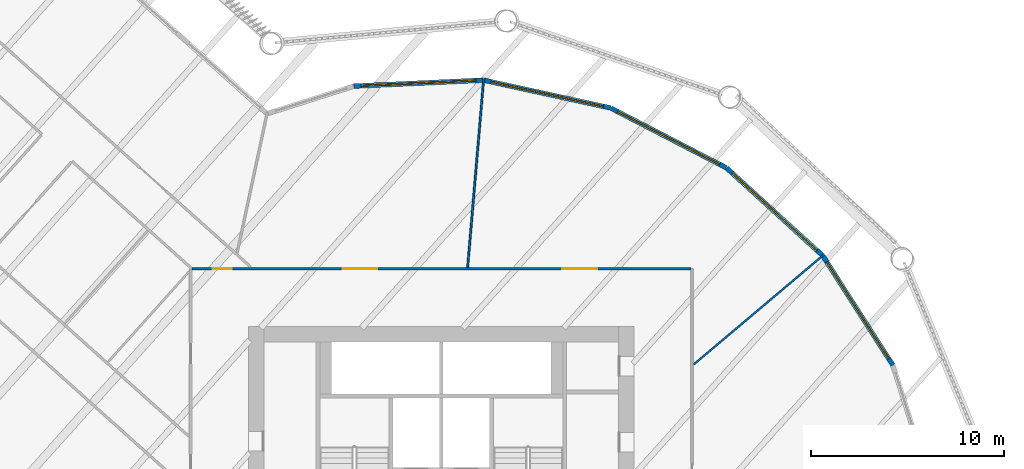
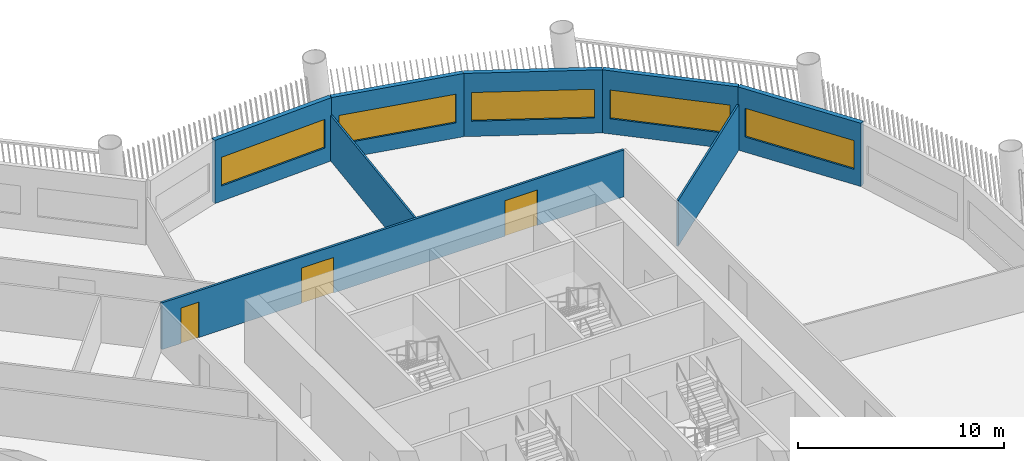
# One storey, part 7 of 16: 8 walls, 5 windows, 3 doors, 8 openings.
"""IFC4 building model written with IfcOpenShell, lengths in metres."""

from ifc_helpers import new_model, si_unit, direction, frame, frame_2d, origin, place, context, subcontext, project, spatial, rectangle, extrude, material, layer, layer_set, type_object, element, fill, save


model = new_model("IFC4")

# Units and contexts
model_context = context("Model", 3, precision=1e-05, world=origin(), true_north=direction((0.0, 1.0)))
body_context = subcontext(model_context, "Body", "Model", "MODEL_VIEW")
ifc_project = project(units=[si_unit("LENGTHUNIT", "METRE"), si_unit("AREAUNIT", "SQUARE_METRE"), si_unit("VOLUMEUNIT", "CUBIC_METRE"), si_unit("PLANEANGLEUNIT", "RADIAN"), si_unit("MASSUNIT", "GRAM", prefix="KILO")], contexts=[model_context])

# Site, building, storey
site_placement = place(None, origin())
site = spatial("IfcSite", under=ifc_project, at=site_placement, CompositionType="ELEMENT")
building_placement = place(site_placement, origin())
building = spatial("IfcBuilding", under=site, at=building_placement, Name="Tarsis Ring Headquarters", CompositionType="ELEMENT")
storey_placement = place(building_placement, frame((0.0, 0.0, 96.699951171875)))
storey = spatial("IfcBuildingStorey", under=building, at=storey_placement, Name="L21", CompositionType="ELEMENT", Elevation=96.699951171875)

# Walls
ifc_material_1 = material(Name="Gypsum board on steel studs", Category="steel")
ifc_layer_1 = layer(ifc_material_1, 0.10009765625)
ifc_layer_set_1 = layer_set([ifc_layer_1], Name="FL partition 100 unrated")
wall_type_1 = type_object("IfcWallType", Name="FL partition 100 unrated", PredefinedType="PARTITIONING", material=ifc_layer_set_1)
wall_1_placement = place(storey_placement, frame((1.366455078125, 16.069580078125, 0.0), z_axis=(0.0, 0.0, 1.0), x_axis=(0.084701626015, 0.996406360152, 0.0)))
element("IfcWall", 1, at=wall_1_placement, inside=storey, type_object=wall_type_1, Name="Partition PW3", PredefinedType="PARTITIONING", context=body_context, shape_type="SweptSolid", body=[
    extrude(rectangle(XDim=9.8203125, YDim=0.10009765625, at=frame_2d((4.91015625, 0.0))), origin(), (0.0, 0.0, 1.0), 2.699951171875),
])
wall_2_placement = place(storey_placement, frame((13.083984375, 11.033447265625, 0.0), z_axis=(0.0, 0.0, 1.0), x_axis=(0.764474512328, 0.644653953685, 0.0)))
element("IfcWall", 2, at=wall_2_placement, inside=storey, type_object=wall_type_1, Name="Partition PW3", PredefinedType="PARTITIONING", context=body_context, shape_type="SweptSolid", body=[
    extrude(rectangle(XDim=8.832763671875, YDim=0.10009765625, at=frame_2d((4.41650390625, 0.0))), origin(), (0.0, 0.0, 1.0), 2.699951171875),
])

# Wall, openings, doors
ifc_layer_2 = layer(ifc_material_1, 0.125)
ifc_layer_set_2 = layer_set([ifc_layer_2], Name="FL partition 125 EI 60 H2770")
wall_type_2 = type_object("IfcWallType", Name="FL partition 125 EI 60 H2770", PredefinedType="PARTITIONING", material=ifc_layer_set_2)
wall_3_placement = place(storey_placement, frame((-12.927001953125, 16.0, 0.0), z_axis=(0.0, 0.0, 1.0), x_axis=(1.0, 0.0, 0.0)))
wall_3 = element("IfcWall", 3, at=wall_3_placement, inside=storey, type_object=wall_type_2, Name="Partition PW1", PredefinedType="PARTITIONING", context=body_context, shape_type="SweptSolid", body=[
    extrude(rectangle(XDim=25.866943359375, YDim=0.125, at=frame_2d((12.93359375, 0.0))), origin(), (0.0, 0.0, 1.0), 2.77001953125),
])
opening_1_placement = place(wall_3_placement, frame((7.8173828125, 0.0, 0.0)))
opening_1 = element("IfcOpeningElement", 4, at=opening_1_placement, cuts=wall_3, Name="Opening D21.03", PredefinedType="OPENING", context=body_context, shape_type="SweptSolid", body=[
    extrude(rectangle(XDim=1.800048828125, YDim=2.10009765625, at=frame_2d((0.89990234375, 1.050048828125))), frame((0.0, 0.072509765625, 0.0), z_axis=(0.0, -1.0, 0.0), x_axis=(1.0, 0.0, 0.0)), (0.0, 0.0, 1.0), 0.14501953125),
])
opening_2_placement = place(wall_3_placement, frame((19.207275390625, 0.0, 0.0)))
opening_2 = element("IfcOpeningElement", 5, at=opening_2_placement, cuts=wall_3, Name="Opening D21.04", PredefinedType="OPENING", context=body_context, shape_type="SweptSolid", body=[
    extrude(rectangle(XDim=1.800048828125, YDim=2.10009765625, at=frame_2d((0.89990234375, 1.050048828125))), frame((0.0, 0.072509765625, 0.0), z_axis=(0.0, -1.0, 0.0), x_axis=(1.0, 0.0, 0.0)), (0.0, 0.0, 1.0), 0.14501953125),
])
opening_3_placement = place(wall_3_placement, frame((1.073486328125, 0.0, 0.0)))
opening_3 = element("IfcOpeningElement", 6, at=opening_3_placement, cuts=wall_3, Name="Opening D21.20", PredefinedType="OPENING", context=body_context, shape_type="SweptSolid", body=[
    extrude(rectangle(XDim=1.0, YDim=2.10009765625, at=frame_2d((0.5, 1.050048828125))), frame((0.0, 0.072509765625, 0.0), z_axis=(0.0, -1.0, 0.0), x_axis=(1.0, 0.0, 0.0)), (0.0, 0.0, 1.0), 0.14501953125),
])
ifc_material_2 = material(Name="Fire-rated timber door leaf in steel frame", Category="steel")
door_type_1 = type_object("IfcDoorType", Name="FL door FD60-1000", OperationType="NOTDEFINED", PredefinedType="DOOR", material=ifc_material_2)
door_1_placement = place(opening_3_placement, origin())
door_1 = element("IfcDoor", 7, at=door_1_placement, inside=storey, type_object=door_type_1, Name="Door D21.20", OperationType="SINGLE_SWING_LEFT", OverallHeight=2.10009765625, OverallWidth=1.0, PredefinedType="DOOR", context=body_context, shape_type="SweptSolid", body=[
    extrude(rectangle(XDim=1.0, YDim=2.10009765625, at=frame_2d((0.5, 1.050048828125))), frame((0.0, 0.02490234375, 0.0), z_axis=(0.0, -1.0, 0.0), x_axis=(1.0, 0.0, 0.0)), (0.0, 0.0, 1.0), 0.050048828125),
])
fill(opening_3, door_1)
door_type_2 = type_object("IfcDoorType", Name="FL door FD60-1800", OperationType="DOUBLE_DOOR_SINGLE_SWING", PredefinedType="DOOR", material=ifc_material_2)
door_2_placement = place(opening_1_placement, origin())
door_2 = element("IfcDoor", 8, at=door_2_placement, inside=storey, type_object=door_type_2, Name="Door D21.03", OperationType="DOUBLE_DOOR_SINGLE_SWING", OverallHeight=2.10009765625, OverallWidth=1.800048828125, PredefinedType="DOOR", context=body_context, shape_type="SweptSolid", body=[
    extrude(rectangle(XDim=1.800048828125, YDim=2.10009765625, at=frame_2d((0.89990234375, 1.050048828125))), frame((0.0, 0.02490234375, 0.0), z_axis=(0.0, -1.0, 0.0), x_axis=(1.0, 0.0, 0.0)), (0.0, 0.0, 1.0), 0.050048828125),
])
fill(opening_1, door_2)
door_3_placement = place(opening_2_placement, origin())
door_3 = element("IfcDoor", 9, at=door_3_placement, inside=storey, type_object=door_type_2, Name="Door D21.04", OperationType="DOUBLE_DOOR_SINGLE_SWING", OverallHeight=2.10009765625, OverallWidth=1.800048828125, PredefinedType="DOOR", context=body_context, shape_type="SweptSolid", body=[
    extrude(rectangle(XDim=1.800048828125, YDim=2.10009765625, at=frame_2d((0.89990234375, 1.050048828125))), frame((0.0, 0.02490234375, 0.0), z_axis=(0.0, -1.0, 0.0), x_axis=(1.0, 0.0, 0.0)), (0.0, 0.0, 1.0), 0.050048828125),
])
fill(opening_2, door_3)

# Wall, opening, window
ifc_material_3 = material(Name="Terracotta clad insulated panel wall", Category="masonry")
ifc_layer_3 = layer(ifc_material_3, 0.25)
ifc_layer_set_3 = layer_set([ifc_layer_3], Name="Facade wall terracotta panel 250")
wall_type_3 = type_object("IfcWallType", Name="Facade wall terracotta panel 250", PredefinedType="STANDARD", material=ifc_layer_set_3)
wall_4_placement = place(storey_placement, frame((23.4140625, 11.005859375, 0.0), z_axis=(0.0, 0.0, 1.0), x_axis=(-0.539343291186, 0.842085989821, 0.0)))
wall_4 = element("IfcWall", 10, at=wall_4_placement, inside=storey, type_object=wall_type_3, Name="External wall L21-25", PredefinedType="STANDARD", context=body_context, shape_type="SweptSolid", body=[
    extrude(rectangle(XDim=6.7216796875, YDim=0.25, at=frame_2d((3.36083984375, 0.0))), origin(), (0.0, 0.0, 1.0), 3.739990234375),
])
opening_4_placement = place(wall_4_placement, frame((0.3857421875, 0.0, 0.89990234375)))
opening_4 = element("IfcOpeningElement", 11, at=opening_4_placement, cuts=wall_4, Name="Opening WN07", PredefinedType="OPENING", context=body_context, shape_type="SweptSolid", body=[
    extrude(rectangle(XDim=5.949951171875, YDim=1.699951171875, at=frame_2d((2.97509765625, 0.85009765625))), frame((0.0, 0.135009765625, 0.0), z_axis=(0.0, -1.0, 0.0), x_axis=(1.0, 0.0, 0.0)), (0.0, 0.0, 1.0), 0.27001953125),
])
ifc_material_4 = material(Name="Aluminium framed double glazing", Category="aluminium")
window_type = type_object("IfcWindowType", Name="Facade window 5950 x 1700", PartitioningType="SINGLE_PANEL", PredefinedType="WINDOW", material=ifc_material_4)
window_1_placement = place(opening_4_placement, origin())
window_1 = element("IfcWindow", 12, at=window_1_placement, inside=storey, type_object=window_type, Name="Window L21-25.1", OverallHeight=1.699951171875, OverallWidth=5.949951171875, PartitioningType="SINGLE_PANEL", PredefinedType="WINDOW", context=body_context, shape_type="SweptSolid", body=[
    extrude(rectangle(XDim=5.949951171875, YDim=1.699951171875, at=frame_2d((2.97509765625, 0.85009765625))), frame((0.0, 0.030029296875, 0.0), z_axis=(0.0, -1.0, 0.0), x_axis=(1.0, 0.0, 0.0)), (0.0, 0.0, 1.0), 0.06005859375),
])
fill(opening_4, window_1)

wall_5_placement = place(storey_placement, frame((19.767822265625, 16.69091796875, 0.0), z_axis=(0.0, 0.0, 1.0), x_axis=(-0.73893669602, 0.673774858001, 0.0)))
wall_5 = element("IfcWall", 13, at=wall_5_placement, inside=storey, type_object=wall_type_3, Name="External wall L21-26", PredefinedType="STANDARD", context=body_context, shape_type="SweptSolid", body=[
    extrude(rectangle(XDim=6.721435546875, YDim=0.25, at=frame_2d((3.36083984375, 0.0))), origin(), (0.0, 0.0, 1.0), 3.739990234375),
])
opening_5_placement = place(wall_5_placement, frame((0.3857421875, 0.0, 0.89990234375)))
opening_5 = element("IfcOpeningElement", 14, at=opening_5_placement, cuts=wall_5, Name="Opening WN07", PredefinedType="OPENING", context=body_context, shape_type="SweptSolid", body=[
    extrude(rectangle(XDim=5.949951171875, YDim=1.699951171875, at=frame_2d((2.97509765625, 0.85009765625))), frame((0.0, 0.135009765625, 0.0), z_axis=(0.0, -1.0, 0.0), x_axis=(1.0, 0.0, 0.0)), (0.0, 0.0, 1.0), 0.27001953125),
])
window_2_placement = place(opening_5_placement, origin())
window_2 = element("IfcWindow", 15, at=window_2_placement, inside=storey, type_object=window_type, Name="Window L21-26.1", OverallHeight=1.699951171875, OverallWidth=5.949951171875, PartitioningType="SINGLE_PANEL", PredefinedType="WINDOW", context=body_context, shape_type="SweptSolid", body=[
    extrude(rectangle(XDim=5.949951171875, YDim=1.699951171875, at=frame_2d((2.97509765625, 0.85009765625))), frame((0.0, 0.030029296875, 0.0), z_axis=(0.0, -1.0, 0.0), x_axis=(1.0, 0.0, 0.0)), (0.0, 0.0, 1.0), 0.06005859375),
])
fill(opening_5, window_2)

wall_6_placement = place(storey_placement, frame((14.774169921875, 21.238525390625, 0.0), z_axis=(0.0, 0.0, 1.0), x_axis=(-0.888129716086, 0.45959287136, 0.0)))
wall_6 = element("IfcWall", 16, at=wall_6_placement, inside=storey, type_object=wall_type_3, Name="External wall L21-27", PredefinedType="STANDARD", context=body_context, shape_type="SweptSolid", body=[
    extrude(rectangle(XDim=6.721435546875, YDim=0.25, at=frame_2d((3.36083984375, 0.0))), origin(), (0.0, 0.0, 1.0), 3.739990234375),
])
opening_6_placement = place(wall_6_placement, frame((0.3857421875, 0.0, 0.89990234375)))
opening_6 = element("IfcOpeningElement", 17, at=opening_6_placement, cuts=wall_6, Name="Opening WN07", PredefinedType="OPENING", context=body_context, shape_type="SweptSolid", body=[
    extrude(rectangle(XDim=5.949951171875, YDim=1.699951171875, at=frame_2d((2.97509765625, 0.85009765625))), frame((0.0, 0.135009765625, 0.0), z_axis=(0.0, -1.0, 0.0), x_axis=(1.0, 0.0, 0.0)), (0.0, 0.0, 1.0), 0.27001953125),
])
window_3_placement = place(opening_6_placement, origin())
window_3 = element("IfcWindow", 18, at=window_3_placement, inside=storey, type_object=window_type, Name="Window L21-27.1", OverallHeight=1.699951171875, OverallWidth=5.949951171875, PartitioningType="SINGLE_PANEL", PredefinedType="WINDOW", context=body_context, shape_type="SweptSolid", body=[
    extrude(rectangle(XDim=5.949951171875, YDim=1.699951171875, at=frame_2d((2.97509765625, 0.85009765625))), frame((0.0, 0.030029296875, 0.0), z_axis=(0.0, -1.0, 0.0), x_axis=(1.0, 0.0, 0.0)), (0.0, 0.0, 1.0), 0.06005859375),
])
fill(opening_6, window_3)

wall_7_placement = place(storey_placement, frame((8.77392578125, 24.338623046875, 0.0), z_axis=(0.0, 0.0, 1.0), x_axis=(-0.976822941982, 0.214048919685, 0.0)))
wall_7 = element("IfcWall", 19, at=wall_7_placement, inside=storey, type_object=wall_type_3, Name="External wall L21-28", PredefinedType="STANDARD", context=body_context, shape_type="SweptSolid", body=[
    extrude(rectangle(XDim=6.721435546875, YDim=0.25, at=frame_2d((3.36083984375, 0.0))), origin(), (0.0, 0.0, 1.0), 3.739990234375),
])
opening_7_placement = place(wall_7_placement, frame((0.3857421875, 0.0, 0.89990234375)))
opening_7 = element("IfcOpeningElement", 20, at=opening_7_placement, cuts=wall_7, Name="Opening WN07", PredefinedType="OPENING", context=body_context, shape_type="SweptSolid", body=[
    extrude(rectangle(XDim=5.949951171875, YDim=1.699951171875, at=frame_2d((2.97509765625, 0.85009765625))), frame((0.0, 0.135009765625, 0.0), z_axis=(0.0, -1.0, 0.0), x_axis=(1.0, 0.0, 0.0)), (0.0, 0.0, 1.0), 0.27001953125),
])
window_4_placement = place(opening_7_placement, origin())
window_4 = element("IfcWindow", 21, at=window_4_placement, inside=storey, type_object=window_type, Name="Window L21-28.1", OverallHeight=1.699951171875, OverallWidth=5.949951171875, PartitioningType="SINGLE_PANEL", PredefinedType="WINDOW", context=body_context, shape_type="SweptSolid", body=[
    extrude(rectangle(XDim=5.949951171875, YDim=1.699951171875, at=frame_2d((2.97509765625, 0.85009765625))), frame((0.0, 0.030029296875, 0.0), z_axis=(0.0, -1.0, 0.0), x_axis=(1.0, 0.0, 0.0)), (0.0, 0.0, 1.0), 0.06005859375),
])
fill(opening_7, window_4)

wall_8_placement = place(storey_placement, frame((2.175537109375, 25.780029296875, 0.0), z_axis=(0.0, 0.0, 1.0), x_axis=(-0.998938822014, -0.046056811371, 0.0)))
wall_8 = element("IfcWall", 22, at=wall_8_placement, inside=storey, type_object=wall_type_3, Name="External wall L21-29", PredefinedType="STANDARD", context=body_context, shape_type="SweptSolid", body=[
    extrude(rectangle(XDim=6.721435546875, YDim=0.25, at=frame_2d((3.36083984375, 0.0))), origin(), (0.0, 0.0, 1.0), 3.739990234375),
])
opening_8_placement = place(wall_8_placement, frame((0.3857421875, 0.0, 0.89990234375)))
opening_8 = element("IfcOpeningElement", 23, at=opening_8_placement, cuts=wall_8, Name="Opening WN07", PredefinedType="OPENING", context=body_context, shape_type="SweptSolid", body=[
    extrude(rectangle(XDim=5.949951171875, YDim=1.699951171875, at=frame_2d((2.97509765625, 0.85009765625))), frame((0.0, 0.135009765625, 0.0), z_axis=(0.0, -1.0, 0.0), x_axis=(1.0, 0.0, 0.0)), (0.0, 0.0, 1.0), 0.27001953125),
])
window_5_placement = place(opening_8_placement, origin())
window_5 = element("IfcWindow", 24, at=window_5_placement, inside=storey, type_object=window_type, Name="Window L21-29.1", OverallHeight=1.699951171875, OverallWidth=5.949951171875, PartitioningType="SINGLE_PANEL", PredefinedType="WINDOW", context=body_context, shape_type="SweptSolid", body=[
    extrude(rectangle(XDim=5.949951171875, YDim=1.699951171875, at=frame_2d((2.97509765625, 0.85009765625))), frame((0.0, 0.030029296875, 0.0), z_axis=(0.0, -1.0, 0.0), x_axis=(1.0, 0.0, 0.0)), (0.0, 0.0, 1.0), 0.06005859375),
])
fill(opening_8, window_5)

save(model, "model.ifc")
